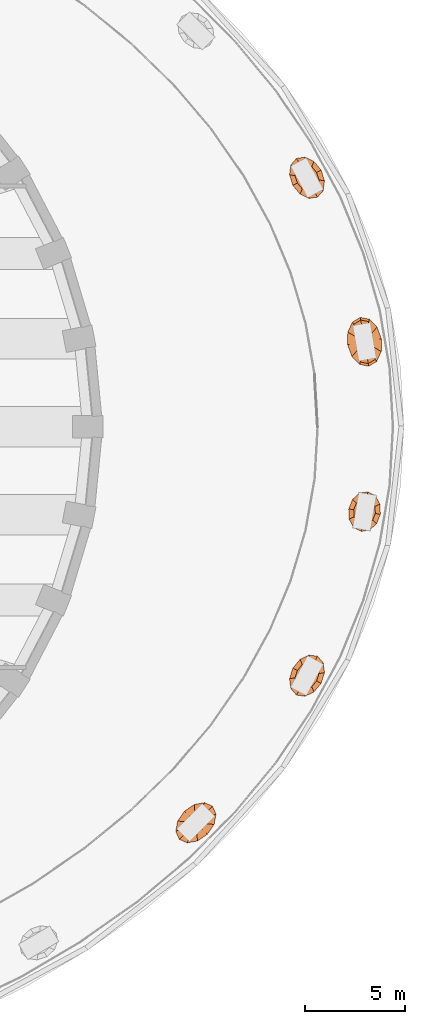
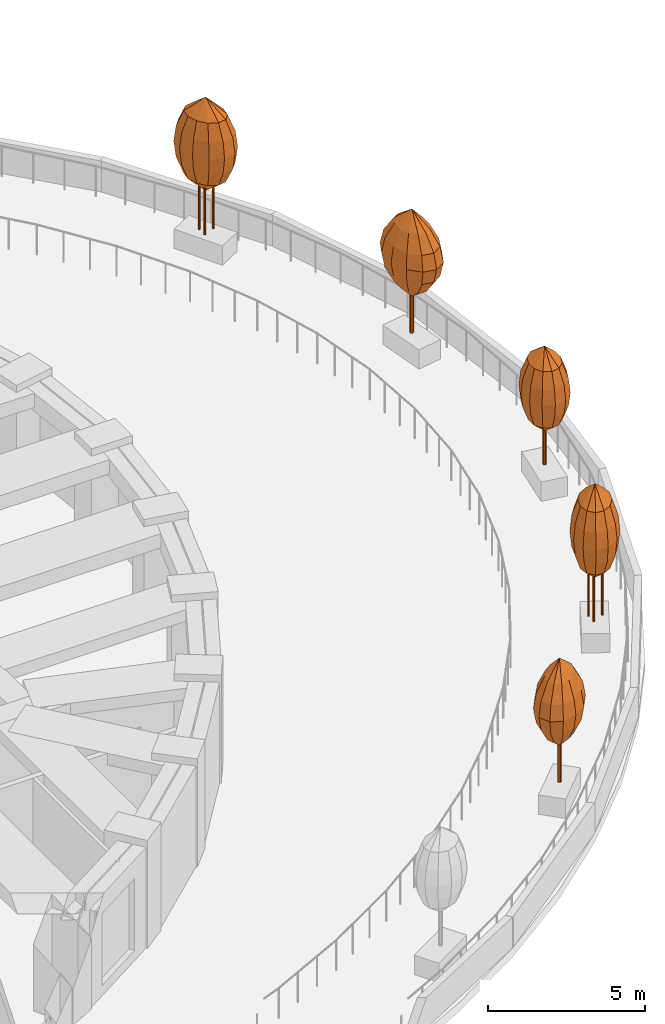
# One storey, part 16 of 17: 5 geographic elements.
"""IFC4 building model written with IfcOpenShell, lengths in metres."""

from ifc_helpers import new_model, si_unit, direction, frame, origin, place, context, subcontext, project, spatial, faceted_brep, material, constituent, constituent_set, type_object, element, save


model = new_model("IFC4")

# Units and contexts
model_context = context("Model", 3, precision=1e-05, world=origin(), true_north=direction((0.0, 1.0)))
body_context = subcontext(model_context, "Body", "Model", "MODEL_VIEW")
ifc_project = project(units=[si_unit("LENGTHUNIT", "METRE"), si_unit("AREAUNIT", "SQUARE_METRE"), si_unit("VOLUMEUNIT", "CUBIC_METRE"), si_unit("PLANEANGLEUNIT", "RADIAN"), si_unit("MASSUNIT", "GRAM", prefix="KILO")], contexts=[model_context])

# Site, building, storey
site_placement = place(None, origin())
site = spatial("IfcSite", under=ifc_project, at=site_placement, CompositionType="ELEMENT")
building_placement = place(site_placement, origin())
building = spatial("IfcBuilding", under=site, at=building_placement, Name="Taillehof Tower", CompositionType="ELEMENT")
storey_placement = place(building_placement, frame((0.0, 0.0, 17.5)))
storey = spatial("IfcBuildingStorey", under=building, at=storey_placement, Name="L03", CompositionType="ELEMENT", Elevation=17.5)

# Geographic elements
ifc_material_1 = material(Name="Tree bark", Category="timber")
ifc_constituent_1 = constituent(ifc_material_1, Name="Trunk", Category="timber")
ifc_material_2 = material(Name="Tree foliage")
ifc_constituent_2 = constituent(ifc_material_2, Name="Crown")
ifc_constituent_set_1 = constituent_set(constituents=[ifc_constituent_1, ifc_constituent_2], Name="Tree TR6 Field maple")
geographic_element_type_1 = type_object("IfcGeographicElementType", Name="Tree TR6 Field maple", PredefinedType="USERDEFINED", material=ifc_constituent_set_1)
geographic_element_1_placement = place(storey_placement, frame((42.037353515625, 4.22900390625, 0.75)))
element("IfcGeographicElement", 1, at=geographic_element_1_placement, inside=storey, type_object=geographic_element_type_1, Name="Tree TR6 Field maple", ObjectType="TREE", PredefinedType="USERDEFINED", context=body_context, shape_type="Brep", body=[
    faceted_brep([(0.070068359375, 0.0, 0.0), (0.049560546875, 0.049560546875, 0.0), (0.049560546875, 0.049560546875, 2.590087890625), (0.070068359375, 0.0, 2.590087890625), (0.0, 0.070068359375, 0.0), (0.0, 0.070068359375, 2.590087890625), (-0.049560546875, 0.049560546875, 0.0), (-0.049560546875, 0.049560546875, 2.590087890625), (-0.070068359375, 0.0, 0.0), (-0.070068359375, 0.0, 2.590087890625), (-0.049560546875, -0.049560546875, 0.0), (-0.049560546875, -0.049560546875, 2.590087890625), (0.0, -0.070068359375, 0.0), (0.0, -0.070068359375, 2.590087890625), (0.049560546875, -0.049560546875, 0.0), (0.049560546875, -0.049560546875, 2.590087890625)], [[[0, 1, 2, 3]], [[1, 4, 5, 2]], [[4, 6, 7, 5]], [[6, 8, 9, 7]], [[8, 10, 11, 9]], [[10, 12, 13, 11]], [[12, 14, 15, 13]], [[14, 0, 3, 15]], [[14, 12, 10, 8, 6, 4, 1, 0]], [[3, 2, 5, 7, 9, 11, 13, 15]]]),
    faceted_brep([(0.0, 0.0, 1.39990234375), (-0.34619140625, 0.563720703125, 1.966552734375), (-0.120361328125, 0.698974609375, 1.966552734375), (-0.479248046875, 0.27734375, 1.966552734375), (-0.48388671875, -0.083251953125, 1.966552734375), (-0.35888671875, -0.421630859375, 1.966552734375), (-0.1376953125, -0.64697265625, 1.966552734375), (0.120361328125, -0.698974609375, 1.966552734375), (0.34619140625, -0.563720703125, 1.966552734375), (0.479248046875, -0.27734375, 1.966552734375), (0.48388671875, 0.083251953125, 1.966552734375), (0.35888671875, 0.421630859375, 1.966552734375), (0.1376953125, 0.64697265625, 1.966552734375), (-0.537353515625, 0.874755859375, 2.533447265625), (-0.186767578125, 1.084716796875, 2.533447265625), (-0.743896484375, 0.430419921875, 2.533447265625), (-0.7509765625, -0.12939453125, 2.533447265625), (-0.556884765625, -0.654541015625, 2.533447265625), (-0.213623046875, -1.004150390625, 2.533447265625), (0.186767578125, -1.084716796875, 2.533447265625), (0.537353515625, -0.874755859375, 2.533447265625), (0.743896484375, -0.430419921875, 2.533447265625), (0.7509765625, 0.12939453125, 2.533447265625), (0.556884765625, 0.654541015625, 2.533447265625), (0.213623046875, 1.004150390625, 2.533447265625), (-0.602783203125, 0.9814453125, 3.10009765625), (-0.209716796875, 1.217041015625, 3.10009765625), (-0.83447265625, 0.48291015625, 3.10009765625), (-0.842529296875, -0.145263671875, 3.10009765625), (-0.624755859375, -0.734130859375, 3.10009765625), (-0.23974609375, -1.126708984375, 3.10009765625), (0.209716796875, -1.217041015625, 3.10009765625), (0.602783203125, -0.9814453125, 3.10009765625), (0.83447265625, -0.48291015625, 3.10009765625), (0.842529296875, 0.145263671875, 3.10009765625), (0.624755859375, 0.734130859375, 3.10009765625), (0.23974609375, 1.126708984375, 3.10009765625), (-0.537353515625, 0.874755859375, 3.666748046875), (-0.186767578125, 1.084716796875, 3.666748046875), (-0.743896484375, 0.430419921875, 3.666748046875), (-0.7509765625, -0.12939453125, 3.666748046875), (-0.556884765625, -0.654541015625, 3.666748046875), (-0.213623046875, -1.004150390625, 3.666748046875), (0.186767578125, -1.084716796875, 3.666748046875), (0.537353515625, -0.874755859375, 3.666748046875), (0.743896484375, -0.430419921875, 3.666748046875), (0.7509765625, 0.12939453125, 3.666748046875), (0.556884765625, 0.654541015625, 3.666748046875), (0.213623046875, 1.004150390625, 3.666748046875), (-0.34619140625, 0.563720703125, 4.2333984375), (-0.120361328125, 0.698974609375, 4.2333984375), (-0.479248046875, 0.27734375, 4.2333984375), (-0.48388671875, -0.083251953125, 4.2333984375), (-0.35888671875, -0.421630859375, 4.2333984375), (-0.1376953125, -0.64697265625, 4.2333984375), (0.120361328125, -0.698974609375, 4.2333984375), (0.34619140625, -0.563720703125, 4.2333984375), (0.479248046875, -0.27734375, 4.2333984375), (0.48388671875, 0.083251953125, 4.2333984375), (0.35888671875, 0.421630859375, 4.2333984375), (0.1376953125, 0.64697265625, 4.2333984375), (0.0, 0.0, 4.800048828125)], [[[0, 1, 2]], [[0, 3, 1]], [[0, 4, 3]], [[0, 5, 4]], [[0, 6, 5]], [[0, 7, 6]], [[0, 8, 7]], [[0, 9, 8]], [[0, 10, 9]], [[0, 11, 10]], [[0, 12, 11]], [[0, 2, 12]], [[2, 1, 13, 14]], [[1, 3, 15, 13]], [[3, 4, 16, 15]], [[4, 5, 17, 16]], [[5, 6, 18, 17]], [[6, 7, 19, 18]], [[7, 8, 20, 19]], [[8, 9, 21, 20]], [[9, 10, 22, 21]], [[10, 11, 23, 22]], [[11, 12, 24, 23]], [[12, 2, 14, 24]], [[14, 13, 25, 26]], [[13, 15, 27, 25]], [[15, 16, 28, 27]], [[16, 17, 29, 28]], [[17, 18, 30, 29]], [[18, 19, 31, 30]], [[19, 20, 32, 31]], [[20, 21, 33, 32]], [[21, 22, 34, 33]], [[22, 23, 35, 34]], [[23, 24, 36, 35]], [[24, 14, 26, 36]], [[26, 25, 37, 38]], [[25, 27, 39, 37]], [[27, 28, 40, 39]], [[28, 29, 41, 40]], [[29, 30, 42, 41]], [[30, 31, 43, 42]], [[31, 32, 44, 43]], [[32, 33, 45, 44]], [[33, 34, 46, 45]], [[34, 35, 47, 46]], [[35, 36, 48, 47]], [[36, 26, 38, 48]], [[38, 37, 49, 50]], [[37, 39, 51, 49]], [[39, 40, 52, 51]], [[40, 41, 53, 52]], [[41, 42, 54, 53]], [[42, 43, 55, 54]], [[43, 44, 56, 55]], [[44, 45, 57, 56]], [[45, 46, 58, 57]], [[46, 47, 59, 58]], [[47, 48, 60, 59]], [[48, 38, 50, 60]], [[50, 49, 61]], [[49, 51, 61]], [[51, 52, 61]], [[52, 53, 61]], [[53, 54, 61]], [[54, 55, 61]], [[55, 56, 61]], [[56, 57, 61]], [[57, 58, 61]], [[58, 59, 61]], [[59, 60, 61]], [[60, 50, 61]]]),
])
geographic_element_2_placement = place(storey_placement, frame((33.63818359375, -19.723876953125, 0.75)))
element("IfcGeographicElement", 2, at=geographic_element_2_placement, inside=storey, type_object=geographic_element_type_1, Name="Tree TR6 Field maple", ObjectType="TREE", PredefinedType="USERDEFINED", context=body_context, shape_type="Brep", body=[
    faceted_brep([(0.070068359375, 0.0, 0.0), (0.049560546875, 0.049560546875, 0.0), (0.049560546875, 0.049560546875, 2.590087890625), (0.070068359375, 0.0, 2.590087890625), (0.0, 0.070068359375, 0.0), (0.0, 0.070068359375, 2.590087890625), (-0.049560546875, 0.049560546875, 0.0), (-0.049560546875, 0.049560546875, 2.590087890625), (-0.070068359375, 0.0, 0.0), (-0.070068359375, 0.0, 2.590087890625), (-0.049560546875, -0.049560546875, 0.0), (-0.049560546875, -0.049560546875, 2.590087890625), (0.0, -0.070068359375, 0.0), (0.0, -0.070068359375, 2.590087890625), (0.049560546875, -0.049560546875, 0.0), (0.049560546875, -0.049560546875, 2.590087890625)], [[[0, 1, 2, 3]], [[1, 4, 5, 2]], [[4, 6, 7, 5]], [[6, 8, 9, 7]], [[8, 10, 11, 9]], [[10, 12, 13, 11]], [[12, 14, 15, 13]], [[14, 0, 3, 15]], [[14, 12, 10, 8, 6, 4, 1, 0]], [[3, 2, 5, 7, 9, 11, 13, 15]]]),
    faceted_brep([(0.0, 0.0, 1.39990234375), (0.248291015625, 0.575439453125, 1.966552734375), (0.47607421875, 0.47412109375, 1.966552734375), (-0.046142578125, 0.5224609375, 1.966552734375), (-0.328369140625, 0.32958984375, 1.966552734375), (-0.5224609375, 0.04833984375, 1.966552734375), (-0.576416015625, -0.245849609375, 1.966552734375), (-0.47607421875, -0.47412109375, 1.966552734375), (-0.248291015625, -0.575439453125, 1.966552734375), (0.046142578125, -0.5224609375, 1.966552734375), (0.328369140625, -0.32958984375, 1.966552734375), (0.5224609375, -0.04833984375, 1.966552734375), (0.576416015625, 0.245849609375, 1.966552734375), (0.38525390625, 0.89306640625, 2.533447265625), (0.739013671875, 0.73583984375, 2.533447265625), (-0.07177734375, 0.81103515625, 2.533447265625), (-0.509521484375, 0.511474609375, 2.533447265625), (-0.810546875, 0.0751953125, 2.533447265625), (-0.89453125, -0.381591796875, 2.533447265625), (-0.739013671875, -0.73583984375, 2.533447265625), (-0.38525390625, -0.89306640625, 2.533447265625), (0.07177734375, -0.81103515625, 2.533447265625), (0.509521484375, -0.511474609375, 2.533447265625), (0.810546875, -0.0751953125, 2.533447265625), (0.89453125, 0.381591796875, 2.533447265625), (0.43212890625, 1.001953125, 3.10009765625), (0.8291015625, 0.82568359375, 3.10009765625), (-0.08056640625, 0.909912109375, 3.10009765625), (-0.571533203125, 0.573974609375, 3.10009765625), (-0.909423828125, 0.084228515625, 3.10009765625), (-1.003662109375, -0.427978515625, 3.10009765625), (-0.8291015625, -0.82568359375, 3.10009765625), (-0.43212890625, -1.001953125, 3.10009765625), (0.08056640625, -0.909912109375, 3.10009765625), (0.571533203125, -0.573974609375, 3.10009765625), (0.909423828125, -0.084228515625, 3.10009765625), (1.003662109375, 0.427978515625, 3.10009765625), (0.38525390625, 0.89306640625, 3.666748046875), (0.739013671875, 0.73583984375, 3.666748046875), (-0.07177734375, 0.81103515625, 3.666748046875), (-0.509521484375, 0.511474609375, 3.666748046875), (-0.810546875, 0.0751953125, 3.666748046875), (-0.89453125, -0.381591796875, 3.666748046875), (-0.739013671875, -0.73583984375, 3.666748046875), (-0.38525390625, -0.89306640625, 3.666748046875), (0.07177734375, -0.81103515625, 3.666748046875), (0.509521484375, -0.511474609375, 3.666748046875), (0.810546875, -0.0751953125, 3.666748046875), (0.89453125, 0.381591796875, 3.666748046875), (0.248291015625, 0.575439453125, 4.2333984375), (0.47607421875, 0.47412109375, 4.2333984375), (-0.046142578125, 0.5224609375, 4.2333984375), (-0.328369140625, 0.32958984375, 4.2333984375), (-0.5224609375, 0.04833984375, 4.2333984375), (-0.576416015625, -0.245849609375, 4.2333984375), (-0.47607421875, -0.47412109375, 4.2333984375), (-0.248291015625, -0.575439453125, 4.2333984375), (0.046142578125, -0.5224609375, 4.2333984375), (0.328369140625, -0.32958984375, 4.2333984375), (0.5224609375, -0.04833984375, 4.2333984375), (0.576416015625, 0.245849609375, 4.2333984375), (0.0, 0.0, 4.800048828125)], [[[0, 1, 2]], [[0, 3, 1]], [[0, 4, 3]], [[0, 5, 4]], [[0, 6, 5]], [[0, 7, 6]], [[0, 8, 7]], [[0, 9, 8]], [[0, 10, 9]], [[0, 11, 10]], [[0, 12, 11]], [[0, 2, 12]], [[2, 1, 13, 14]], [[1, 3, 15, 13]], [[3, 4, 16, 15]], [[4, 5, 17, 16]], [[5, 6, 18, 17]], [[6, 7, 19, 18]], [[7, 8, 20, 19]], [[8, 9, 21, 20]], [[9, 10, 22, 21]], [[10, 11, 23, 22]], [[11, 12, 24, 23]], [[12, 2, 14, 24]], [[14, 13, 25, 26]], [[13, 15, 27, 25]], [[15, 16, 28, 27]], [[16, 17, 29, 28]], [[17, 18, 30, 29]], [[18, 19, 31, 30]], [[19, 20, 32, 31]], [[20, 21, 33, 32]], [[21, 22, 34, 33]], [[22, 23, 35, 34]], [[23, 24, 36, 35]], [[24, 14, 26, 36]], [[26, 25, 37, 38]], [[25, 27, 39, 37]], [[27, 28, 40, 39]], [[28, 29, 41, 40]], [[29, 30, 42, 41]], [[30, 31, 43, 42]], [[31, 32, 44, 43]], [[32, 33, 45, 44]], [[33, 34, 46, 45]], [[34, 35, 47, 46]], [[35, 36, 48, 47]], [[36, 26, 38, 48]], [[38, 37, 49, 50]], [[37, 39, 51, 49]], [[39, 40, 52, 51]], [[40, 41, 53, 52]], [[41, 42, 54, 53]], [[42, 43, 55, 54]], [[43, 44, 56, 55]], [[44, 45, 57, 56]], [[45, 46, 58, 57]], [[46, 47, 59, 58]], [[47, 48, 60, 59]], [[48, 38, 50, 60]], [[50, 49, 61]], [[49, 51, 61]], [[51, 52, 61]], [[52, 53, 61]], [[53, 54, 61]], [[54, 55, 61]], [[55, 56, 61]], [[56, 57, 61]], [[57, 58, 61]], [[58, 59, 61]], [[59, 60, 61]], [[60, 50, 61]]]),
])
ifc_material_3 = material(Name="Tree bark", Category="timber")
ifc_constituent_3 = constituent(ifc_material_3, Name="Trunk", Category="timber")
ifc_material_4 = material(Name="Tree foliage")
ifc_constituent_4 = constituent(ifc_material_4, Name="Crown")
ifc_constituent_set_2 = constituent_set(constituents=[ifc_constituent_3, ifc_constituent_4], Name="Tree TR7 Himalayan birch")
geographic_element_type_2 = type_object("IfcGeographicElementType", Name="Tree TR7 Himalayan birch", PredefinedType="USERDEFINED", material=ifc_constituent_set_2)
geographic_element_3_placement = place(storey_placement, frame((39.172607421875, 12.39892578125, 0.75)))
element("IfcGeographicElement", 3, at=geographic_element_3_placement, inside=storey, type_object=geographic_element_type_2, Name="Tree TR7 Himalayan birch", ObjectType="TREE", PredefinedType="USERDEFINED", context=body_context, shape_type="Brep", body=[
    faceted_brep([(0.3134765625, 0.0, 0.0), (0.30224609375, 0.027099609375, 0.0), (0.30224609375, 0.027099609375, 2.833984375), (0.3134765625, 0.0, 2.833984375), (0.27490234375, 0.03857421875, 0.0), (0.27490234375, 0.03857421875, 2.833984375), (0.247802734375, 0.027099609375, 0.0), (0.247802734375, 0.027099609375, 2.833984375), (0.236572265625, 0.0, 0.0), (0.236572265625, 0.0, 2.833984375), (0.247802734375, -0.027099609375, 0.0), (0.247802734375, -0.027099609375, 2.833984375), (0.27490234375, -0.03857421875, 0.0), (0.27490234375, -0.03857421875, 2.833984375), (0.30224609375, -0.027099609375, 0.0), (0.30224609375, -0.027099609375, 2.833984375)], [[[0, 1, 2, 3]], [[1, 4, 5, 2]], [[4, 6, 7, 5]], [[6, 8, 9, 7]], [[8, 10, 11, 9]], [[10, 12, 13, 11]], [[12, 14, 15, 13]], [[14, 0, 3, 15]], [[14, 12, 10, 8, 6, 4, 1, 0]], [[3, 2, 5, 7, 9, 11, 13, 15]]]),
    faceted_brep([(-0.09912109375, 0.173095703125, 0.0), (-0.1103515625, 0.200439453125, 0.0), (-0.1103515625, 0.200439453125, 2.833984375), (-0.09912109375, 0.173095703125, 2.833984375), (-0.137451171875, 0.211669921875, 0.0), (-0.137451171875, 0.211669921875, 2.833984375), (-0.164794921875, 0.200439453125, 0.0), (-0.164794921875, 0.200439453125, 2.833984375), (-0.176025390625, 0.173095703125, 0.0), (-0.176025390625, 0.173095703125, 2.833984375), (-0.164794921875, 0.14599609375, 0.0), (-0.164794921875, 0.14599609375, 2.833984375), (-0.137451171875, 0.134765625, 0.0), (-0.137451171875, 0.134765625, 2.833984375), (-0.1103515625, 0.14599609375, 0.0), (-0.1103515625, 0.14599609375, 2.833984375)], [[[0, 1, 2, 3]], [[1, 4, 5, 2]], [[4, 6, 7, 5]], [[6, 8, 9, 7]], [[8, 10, 11, 9]], [[10, 12, 13, 11]], [[12, 14, 15, 13]], [[14, 0, 3, 15]], [[14, 12, 10, 8, 6, 4, 1, 0]], [[3, 2, 5, 7, 9, 11, 13, 15]]]),
    faceted_brep([(-0.09912109375, -0.173095703125, 0.0), (-0.1103515625, -0.14599609375, 0.0), (-0.1103515625, -0.14599609375, 2.833984375), (-0.09912109375, -0.173095703125, 2.833984375), (-0.137451171875, -0.134765625, 0.0), (-0.137451171875, -0.134765625, 2.833984375), (-0.164794921875, -0.14599609375, 0.0), (-0.164794921875, -0.14599609375, 2.833984375), (-0.176025390625, -0.173095703125, 0.0), (-0.176025390625, -0.173095703125, 2.833984375), (-0.164794921875, -0.200439453125, 0.0), (-0.164794921875, -0.200439453125, 2.833984375), (-0.137451171875, -0.211669921875, 0.0), (-0.137451171875, -0.211669921875, 2.833984375), (-0.1103515625, -0.200439453125, 0.0), (-0.1103515625, -0.200439453125, 2.833984375)], [[[0, 1, 2, 3]], [[1, 4, 5, 2]], [[4, 6, 7, 5]], [[6, 8, 9, 7]], [[8, 10, 11, 9]], [[10, 12, 13, 11]], [[12, 14, 15, 13]], [[14, 0, 3, 15]], [[14, 12, 10, 8, 6, 4, 1, 0]], [[3, 2, 5, 7, 9, 11, 13, 15]]]),
    faceted_brep([(0.0, 0.0, 1.56005859375), (-0.55029296875, 0.44189453125, 2.166748046875), (-0.358154296875, 0.66064453125, 2.166748046875), (-0.594970703125, 0.104736328125, 2.166748046875), (-0.48046875, -0.260498046875, 2.166748046875), (-0.237060546875, -0.5556640625, 2.166748046875), (0.06982421875, -0.7021484375, 2.166748046875), (0.358154296875, -0.66064453125, 2.166748046875), (0.55029296875, -0.44189453125, 2.166748046875), (0.594970703125, -0.104736328125, 2.166748046875), (0.48046875, 0.260498046875, 2.166748046875), (0.237060546875, 0.5556640625, 2.166748046875), (-0.06982421875, 0.7021484375, 2.166748046875), (-0.744384765625, 0.59765625, 2.7734375), (-0.484375, 0.8935546875, 2.7734375), (-0.804931640625, 0.1416015625, 2.7734375), (-0.64990234375, -0.352294921875, 2.7734375), (-0.320556640625, -0.751708984375, 2.7734375), (0.094482421875, -0.949951171875, 2.7734375), (0.484375, -0.8935546875, 2.7734375), (0.744384765625, -0.59765625, 2.7734375), (0.804931640625, -0.1416015625, 2.7734375), (0.64990234375, 0.352294921875, 2.7734375), (0.320556640625, 0.751708984375, 2.7734375), (-0.094482421875, 0.949951171875, 2.7734375), (-0.8056640625, 0.64697265625, 3.3798828125), (-0.524169921875, 0.967041015625, 3.3798828125), (-0.87109375, 0.1533203125, 3.3798828125), (-0.703369140625, -0.38134765625, 3.3798828125), (-0.346923828125, -0.813720703125, 3.3798828125), (0.102294921875, -1.028076171875, 3.3798828125), (0.524169921875, -0.967041015625, 3.3798828125), (0.8056640625, -0.64697265625, 3.3798828125), (0.87109375, -0.1533203125, 3.3798828125), (0.703369140625, 0.38134765625, 3.3798828125), (0.346923828125, 0.813720703125, 3.3798828125), (-0.102294921875, 1.028076171875, 3.3798828125), (-0.744384765625, 0.59765625, 3.986572265625), (-0.484375, 0.8935546875, 3.986572265625), (-0.804931640625, 0.1416015625, 3.986572265625), (-0.64990234375, -0.352294921875, 3.986572265625), (-0.320556640625, -0.751708984375, 3.986572265625), (0.094482421875, -0.949951171875, 3.986572265625), (0.484375, -0.8935546875, 3.986572265625), (0.744384765625, -0.59765625, 3.986572265625), (0.804931640625, -0.1416015625, 3.986572265625), (0.64990234375, 0.352294921875, 3.986572265625), (0.320556640625, 0.751708984375, 3.986572265625), (-0.094482421875, 0.949951171875, 3.986572265625), (-0.55029296875, 0.44189453125, 4.59326171875), (-0.358154296875, 0.66064453125, 4.59326171875), (-0.594970703125, 0.104736328125, 4.59326171875), (-0.48046875, -0.260498046875, 4.59326171875), (-0.237060546875, -0.5556640625, 4.59326171875), (0.06982421875, -0.7021484375, 4.59326171875), (0.358154296875, -0.66064453125, 4.59326171875), (0.55029296875, -0.44189453125, 4.59326171875), (0.594970703125, -0.104736328125, 4.59326171875), (0.48046875, 0.260498046875, 4.59326171875), (0.237060546875, 0.5556640625, 4.59326171875), (-0.06982421875, 0.7021484375, 4.59326171875), (0.0, 0.0, 5.199951171875)], [[[0, 1, 2]], [[0, 3, 1]], [[0, 4, 3]], [[0, 5, 4]], [[0, 6, 5]], [[0, 7, 6]], [[0, 8, 7]], [[0, 9, 8]], [[0, 10, 9]], [[0, 11, 10]], [[0, 12, 11]], [[0, 2, 12]], [[2, 1, 13, 14]], [[1, 3, 15, 13]], [[3, 4, 16, 15]], [[4, 5, 17, 16]], [[5, 6, 18, 17]], [[6, 7, 19, 18]], [[7, 8, 20, 19]], [[8, 9, 21, 20]], [[9, 10, 22, 21]], [[10, 11, 23, 22]], [[11, 12, 24, 23]], [[12, 2, 14, 24]], [[14, 13, 25, 26]], [[13, 15, 27, 25]], [[15, 16, 28, 27]], [[16, 17, 29, 28]], [[17, 18, 30, 29]], [[18, 19, 31, 30]], [[19, 20, 32, 31]], [[20, 21, 33, 32]], [[21, 22, 34, 33]], [[22, 23, 35, 34]], [[23, 24, 36, 35]], [[24, 14, 26, 36]], [[26, 25, 37, 38]], [[25, 27, 39, 37]], [[27, 28, 40, 39]], [[28, 29, 41, 40]], [[29, 30, 42, 41]], [[30, 31, 43, 42]], [[31, 32, 44, 43]], [[32, 33, 45, 44]], [[33, 34, 46, 45]], [[34, 35, 47, 46]], [[35, 36, 48, 47]], [[36, 26, 38, 48]], [[38, 37, 49, 50]], [[37, 39, 51, 49]], [[39, 40, 52, 51]], [[40, 41, 53, 52]], [[41, 42, 54, 53]], [[42, 43, 55, 54]], [[43, 44, 56, 55]], [[44, 45, 57, 56]], [[45, 46, 58, 57]], [[46, 47, 59, 58]], [[47, 48, 60, 59]], [[48, 38, 50, 60]], [[50, 49, 61]], [[49, 51, 61]], [[51, 52, 61]], [[52, 53, 61]], [[53, 54, 61]], [[54, 55, 61]], [[55, 56, 61]], [[56, 57, 61]], [[57, 58, 61]], [[58, 59, 61]], [[59, 60, 61]], [[60, 50, 61]]]),
])
geographic_element_4_placement = place(storey_placement, frame((39.172607421875, -12.39892578125, 0.75)))
element("IfcGeographicElement", 4, at=geographic_element_4_placement, inside=storey, type_object=geographic_element_type_2, Name="Tree TR7 Himalayan birch", ObjectType="TREE", PredefinedType="USERDEFINED", context=body_context, shape_type="Brep", body=[
    faceted_brep([(0.3134765625, 0.0, 0.0), (0.30224609375, 0.027099609375, 0.0), (0.30224609375, 0.027099609375, 2.833984375), (0.3134765625, 0.0, 2.833984375), (0.27490234375, 0.03857421875, 0.0), (0.27490234375, 0.03857421875, 2.833984375), (0.247802734375, 0.027099609375, 0.0), (0.247802734375, 0.027099609375, 2.833984375), (0.236572265625, 0.0, 0.0), (0.236572265625, 0.0, 2.833984375), (0.247802734375, -0.027099609375, 0.0), (0.247802734375, -0.027099609375, 2.833984375), (0.27490234375, -0.03857421875, 0.0), (0.27490234375, -0.03857421875, 2.833984375), (0.30224609375, -0.027099609375, 0.0), (0.30224609375, -0.027099609375, 2.833984375)], [[[0, 1, 2, 3]], [[1, 4, 5, 2]], [[4, 6, 7, 5]], [[6, 8, 9, 7]], [[8, 10, 11, 9]], [[10, 12, 13, 11]], [[12, 14, 15, 13]], [[14, 0, 3, 15]], [[14, 12, 10, 8, 6, 4, 1, 0]], [[3, 2, 5, 7, 9, 11, 13, 15]]]),
    faceted_brep([(-0.09912109375, 0.173095703125, 0.0), (-0.1103515625, 0.200439453125, 0.0), (-0.1103515625, 0.200439453125, 2.833984375), (-0.09912109375, 0.173095703125, 2.833984375), (-0.137451171875, 0.211669921875, 0.0), (-0.137451171875, 0.211669921875, 2.833984375), (-0.164794921875, 0.200439453125, 0.0), (-0.164794921875, 0.200439453125, 2.833984375), (-0.176025390625, 0.173095703125, 0.0), (-0.176025390625, 0.173095703125, 2.833984375), (-0.164794921875, 0.14599609375, 0.0), (-0.164794921875, 0.14599609375, 2.833984375), (-0.137451171875, 0.134765625, 0.0), (-0.137451171875, 0.134765625, 2.833984375), (-0.1103515625, 0.14599609375, 0.0), (-0.1103515625, 0.14599609375, 2.833984375)], [[[0, 1, 2, 3]], [[1, 4, 5, 2]], [[4, 6, 7, 5]], [[6, 8, 9, 7]], [[8, 10, 11, 9]], [[10, 12, 13, 11]], [[12, 14, 15, 13]], [[14, 0, 3, 15]], [[14, 12, 10, 8, 6, 4, 1, 0]], [[3, 2, 5, 7, 9, 11, 13, 15]]]),
    faceted_brep([(-0.09912109375, -0.173095703125, 0.0), (-0.1103515625, -0.14599609375, 0.0), (-0.1103515625, -0.14599609375, 2.833984375), (-0.09912109375, -0.173095703125, 2.833984375), (-0.137451171875, -0.134765625, 0.0), (-0.137451171875, -0.134765625, 2.833984375), (-0.164794921875, -0.14599609375, 0.0), (-0.164794921875, -0.14599609375, 2.833984375), (-0.176025390625, -0.173095703125, 0.0), (-0.176025390625, -0.173095703125, 2.833984375), (-0.164794921875, -0.200439453125, 0.0), (-0.164794921875, -0.200439453125, 2.833984375), (-0.137451171875, -0.211669921875, 0.0), (-0.137451171875, -0.211669921875, 2.833984375), (-0.1103515625, -0.200439453125, 0.0), (-0.1103515625, -0.200439453125, 2.833984375)], [[[0, 1, 2, 3]], [[1, 4, 5, 2]], [[4, 6, 7, 5]], [[6, 8, 9, 7]], [[8, 10, 11, 9]], [[10, 12, 13, 11]], [[12, 14, 15, 13]], [[14, 0, 3, 15]], [[14, 12, 10, 8, 6, 4, 1, 0]], [[3, 2, 5, 7, 9, 11, 13, 15]]]),
    faceted_brep([(0.0, 0.0, 1.56005859375), (0.06982421875, 0.7021484375, 2.166748046875), (0.358154296875, 0.66064453125, 2.166748046875), (-0.237060546875, 0.5556640625, 2.166748046875), (-0.48046875, 0.260498046875, 2.166748046875), (-0.594970703125, -0.104736328125, 2.166748046875), (-0.55029296875, -0.44189453125, 2.166748046875), (-0.358154296875, -0.66064453125, 2.166748046875), (-0.06982421875, -0.7021484375, 2.166748046875), (0.237060546875, -0.5556640625, 2.166748046875), (0.48046875, -0.260498046875, 2.166748046875), (0.594970703125, 0.104736328125, 2.166748046875), (0.55029296875, 0.44189453125, 2.166748046875), (0.094482421875, 0.949951171875, 2.7734375), (0.484375, 0.8935546875, 2.7734375), (-0.320556640625, 0.751708984375, 2.7734375), (-0.64990234375, 0.352294921875, 2.7734375), (-0.804931640625, -0.1416015625, 2.7734375), (-0.744384765625, -0.59765625, 2.7734375), (-0.484375, -0.8935546875, 2.7734375), (-0.094482421875, -0.949951171875, 2.7734375), (0.320556640625, -0.751708984375, 2.7734375), (0.64990234375, -0.352294921875, 2.7734375), (0.804931640625, 0.1416015625, 2.7734375), (0.744384765625, 0.59765625, 2.7734375), (0.102294921875, 1.028076171875, 3.3798828125), (0.524169921875, 0.967041015625, 3.3798828125), (-0.346923828125, 0.813720703125, 3.3798828125), (-0.703369140625, 0.38134765625, 3.3798828125), (-0.87109375, -0.1533203125, 3.3798828125), (-0.8056640625, -0.64697265625, 3.3798828125), (-0.524169921875, -0.967041015625, 3.3798828125), (-0.102294921875, -1.028076171875, 3.3798828125), (0.346923828125, -0.813720703125, 3.3798828125), (0.703369140625, -0.38134765625, 3.3798828125), (0.87109375, 0.1533203125, 3.3798828125), (0.8056640625, 0.64697265625, 3.3798828125), (0.094482421875, 0.949951171875, 3.986572265625), (0.484375, 0.8935546875, 3.986572265625), (-0.320556640625, 0.751708984375, 3.986572265625), (-0.64990234375, 0.352294921875, 3.986572265625), (-0.804931640625, -0.1416015625, 3.986572265625), (-0.744384765625, -0.59765625, 3.986572265625), (-0.484375, -0.8935546875, 3.986572265625), (-0.094482421875, -0.949951171875, 3.986572265625), (0.320556640625, -0.751708984375, 3.986572265625), (0.64990234375, -0.352294921875, 3.986572265625), (0.804931640625, 0.1416015625, 3.986572265625), (0.744384765625, 0.59765625, 3.986572265625), (0.06982421875, 0.7021484375, 4.59326171875), (0.358154296875, 0.66064453125, 4.59326171875), (-0.237060546875, 0.5556640625, 4.59326171875), (-0.48046875, 0.260498046875, 4.59326171875), (-0.594970703125, -0.104736328125, 4.59326171875), (-0.55029296875, -0.44189453125, 4.59326171875), (-0.358154296875, -0.66064453125, 4.59326171875), (-0.06982421875, -0.7021484375, 4.59326171875), (0.237060546875, -0.5556640625, 4.59326171875), (0.48046875, -0.260498046875, 4.59326171875), (0.594970703125, 0.104736328125, 4.59326171875), (0.55029296875, 0.44189453125, 4.59326171875), (0.0, 0.0, 5.199951171875)], [[[0, 1, 2]], [[0, 3, 1]], [[0, 4, 3]], [[0, 5, 4]], [[0, 6, 5]], [[0, 7, 6]], [[0, 8, 7]], [[0, 9, 8]], [[0, 10, 9]], [[0, 11, 10]], [[0, 12, 11]], [[0, 2, 12]], [[2, 1, 13, 14]], [[1, 3, 15, 13]], [[3, 4, 16, 15]], [[4, 5, 17, 16]], [[5, 6, 18, 17]], [[6, 7, 19, 18]], [[7, 8, 20, 19]], [[8, 9, 21, 20]], [[9, 10, 22, 21]], [[10, 11, 23, 22]], [[11, 12, 24, 23]], [[12, 2, 14, 24]], [[14, 13, 25, 26]], [[13, 15, 27, 25]], [[15, 16, 28, 27]], [[16, 17, 29, 28]], [[17, 18, 30, 29]], [[18, 19, 31, 30]], [[19, 20, 32, 31]], [[20, 21, 33, 32]], [[21, 22, 34, 33]], [[22, 23, 35, 34]], [[23, 24, 36, 35]], [[24, 14, 26, 36]], [[26, 25, 37, 38]], [[25, 27, 39, 37]], [[27, 28, 40, 39]], [[28, 29, 41, 40]], [[29, 30, 42, 41]], [[30, 31, 43, 42]], [[31, 32, 44, 43]], [[32, 33, 45, 44]], [[33, 34, 46, 45]], [[34, 35, 47, 46]], [[35, 36, 48, 47]], [[36, 26, 38, 48]], [[38, 37, 49, 50]], [[37, 39, 51, 49]], [[39, 40, 52, 51]], [[40, 41, 53, 52]], [[41, 42, 54, 53]], [[42, 43, 55, 54]], [[43, 44, 56, 55]], [[44, 45, 57, 56]], [[45, 46, 58, 57]], [[46, 47, 59, 58]], [[47, 48, 60, 59]], [[48, 38, 50, 60]], [[50, 49, 61]], [[49, 51, 61]], [[51, 52, 61]], [[52, 53, 61]], [[53, 54, 61]], [[54, 55, 61]], [[55, 56, 61]], [[56, 57, 61]], [[57, 58, 61]], [[58, 59, 61]], [[59, 60, 61]], [[60, 50, 61]]]),
])
ifc_material_5 = material(Name="Tree bark", Category="timber")
ifc_constituent_5 = constituent(ifc_material_5, Name="Trunk", Category="timber")
ifc_material_6 = material(Name="Tree foliage")
ifc_constituent_6 = constituent(ifc_material_6, Name="Crown")
ifc_constituent_set_3 = constituent_set(constituents=[ifc_constituent_5, ifc_constituent_6], Name="Tree TR8 Persian ironwood")
geographic_element_type_3 = type_object("IfcGeographicElementType", Name="Tree TR8 Persian ironwood", PredefinedType="USERDEFINED", material=ifc_constituent_set_3)
geographic_element_5_placement = place(storey_placement, frame((42.037353515625, -4.22900390625, 0.75)))
element("IfcGeographicElement", 5, at=geographic_element_5_placement, inside=storey, type_object=geographic_element_type_3, Name="Tree TR8 Persian ironwood", ObjectType="TREE", PredefinedType="USERDEFINED", context=body_context, shape_type="Brep", body=[
    faceted_brep([(0.06005859375, 0.0, 0.0), (0.04248046875, 0.04248046875, 0.0), (0.04248046875, 0.04248046875, 2.455078125), (0.06005859375, 0.0, 2.455078125), (0.0, 0.06005859375, 0.0), (0.0, 0.06005859375, 2.455078125), (-0.04248046875, 0.04248046875, 0.0), (-0.04248046875, 0.04248046875, 2.455078125), (-0.06005859375, 0.0, 0.0), (-0.06005859375, 0.0, 2.455078125), (-0.04248046875, -0.04248046875, 0.0), (-0.04248046875, -0.04248046875, 2.455078125), (0.0, -0.06005859375, 0.0), (0.0, -0.06005859375, 2.455078125), (0.04248046875, -0.04248046875, 0.0), (0.04248046875, -0.04248046875, 2.455078125)], [[[0, 1, 2, 3]], [[1, 4, 5, 2]], [[4, 6, 7, 5]], [[6, 8, 9, 7]], [[8, 10, 11, 9]], [[10, 12, 13, 11]], [[12, 14, 15, 13]], [[14, 0, 3, 15]], [[14, 12, 10, 8, 6, 4, 1, 0]], [[3, 2, 5, 7, 9, 11, 13, 15]]]),
    faceted_brep([(0.0, 0.0, 1.300048828125), (-0.168701171875, 0.62939453125, 1.85009765625), (0.115966796875, 0.673095703125, 1.85009765625), (-0.408447265625, 0.4169921875, 1.85009765625), (-0.53857421875, 0.0927734375, 1.85009765625), (-0.5244140625, -0.256103515625, 1.85009765625), (-0.36962890625, -0.53662109375, 1.85009765625), (-0.115966796875, -0.673095703125, 1.85009765625), (0.168701171875, -0.62939453125, 1.85009765625), (0.408447265625, -0.4169921875, 1.85009765625), (0.53857421875, -0.0927734375, 1.85009765625), (0.5244140625, 0.256103515625, 1.85009765625), (0.36962890625, 0.53662109375, 1.85009765625), (-0.228271484375, 0.851318359375, 2.39990234375), (0.156982421875, 0.910400390625, 2.39990234375), (-0.552490234375, 0.56396484375, 2.39990234375), (-0.728515625, 0.12548828125, 2.39990234375), (-0.709228515625, -0.3466796875, 2.39990234375), (-0.5, -0.725830078125, 2.39990234375), (-0.156982421875, -0.910400390625, 2.39990234375), (0.228271484375, -0.851318359375, 2.39990234375), (0.552490234375, -0.56396484375, 2.39990234375), (0.728515625, -0.12548828125, 2.39990234375), (0.709228515625, 0.3466796875, 2.39990234375), (0.5, 0.725830078125, 2.39990234375), (-0.2470703125, 0.92138671875, 2.949951171875), (0.169677734375, 0.985595703125, 2.949951171875), (-0.597900390625, 0.6103515625, 2.949951171875), (-0.788330078125, 0.1357421875, 2.949951171875), (-0.767578125, -0.375, 2.949951171875), (-0.541259765625, -0.78564453125, 2.949951171875), (-0.169677734375, -0.985595703125, 2.949951171875), (0.2470703125, -0.92138671875, 2.949951171875), (0.597900390625, -0.6103515625, 2.949951171875), (0.788330078125, -0.1357421875, 2.949951171875), (0.767578125, 0.375, 2.949951171875), (0.541259765625, 0.78564453125, 2.949951171875), (-0.228271484375, 0.851318359375, 3.5), (0.156982421875, 0.910400390625, 3.5), (-0.552490234375, 0.56396484375, 3.5), (-0.728515625, 0.12548828125, 3.5), (-0.709228515625, -0.3466796875, 3.5), (-0.5, -0.725830078125, 3.5), (-0.156982421875, -0.910400390625, 3.5), (0.228271484375, -0.851318359375, 3.5), (0.552490234375, -0.56396484375, 3.5), (0.728515625, -0.12548828125, 3.5), (0.709228515625, 0.3466796875, 3.5), (0.5, 0.725830078125, 3.5), (-0.168701171875, 0.62939453125, 4.050048828125), (0.115966796875, 0.673095703125, 4.050048828125), (-0.408447265625, 0.4169921875, 4.050048828125), (-0.53857421875, 0.0927734375, 4.050048828125), (-0.5244140625, -0.256103515625, 4.050048828125), (-0.36962890625, -0.53662109375, 4.050048828125), (-0.115966796875, -0.673095703125, 4.050048828125), (0.168701171875, -0.62939453125, 4.050048828125), (0.408447265625, -0.4169921875, 4.050048828125), (0.53857421875, -0.0927734375, 4.050048828125), (0.5244140625, 0.256103515625, 4.050048828125), (0.36962890625, 0.53662109375, 4.050048828125), (0.0, 0.0, 4.60009765625)], [[[0, 1, 2]], [[0, 3, 1]], [[0, 4, 3]], [[0, 5, 4]], [[0, 6, 5]], [[0, 7, 6]], [[0, 8, 7]], [[0, 9, 8]], [[0, 10, 9]], [[0, 11, 10]], [[0, 12, 11]], [[0, 2, 12]], [[2, 1, 13, 14]], [[1, 3, 15, 13]], [[3, 4, 16, 15]], [[4, 5, 17, 16]], [[5, 6, 18, 17]], [[6, 7, 19, 18]], [[7, 8, 20, 19]], [[8, 9, 21, 20]], [[9, 10, 22, 21]], [[10, 11, 23, 22]], [[11, 12, 24, 23]], [[12, 2, 14, 24]], [[14, 13, 25, 26]], [[13, 15, 27, 25]], [[15, 16, 28, 27]], [[16, 17, 29, 28]], [[17, 18, 30, 29]], [[18, 19, 31, 30]], [[19, 20, 32, 31]], [[20, 21, 33, 32]], [[21, 22, 34, 33]], [[22, 23, 35, 34]], [[23, 24, 36, 35]], [[24, 14, 26, 36]], [[26, 25, 37, 38]], [[25, 27, 39, 37]], [[27, 28, 40, 39]], [[28, 29, 41, 40]], [[29, 30, 42, 41]], [[30, 31, 43, 42]], [[31, 32, 44, 43]], [[32, 33, 45, 44]], [[33, 34, 46, 45]], [[34, 35, 47, 46]], [[35, 36, 48, 47]], [[36, 26, 38, 48]], [[38, 37, 49, 50]], [[37, 39, 51, 49]], [[39, 40, 52, 51]], [[40, 41, 53, 52]], [[41, 42, 54, 53]], [[42, 43, 55, 54]], [[43, 44, 56, 55]], [[44, 45, 57, 56]], [[45, 46, 58, 57]], [[46, 47, 59, 58]], [[47, 48, 60, 59]], [[48, 38, 50, 60]], [[50, 49, 61]], [[49, 51, 61]], [[51, 52, 61]], [[52, 53, 61]], [[53, 54, 61]], [[54, 55, 61]], [[55, 56, 61]], [[56, 57, 61]], [[57, 58, 61]], [[58, 59, 61]], [[59, 60, 61]], [[60, 50, 61]]]),
])

save(model, "model.ifc")
